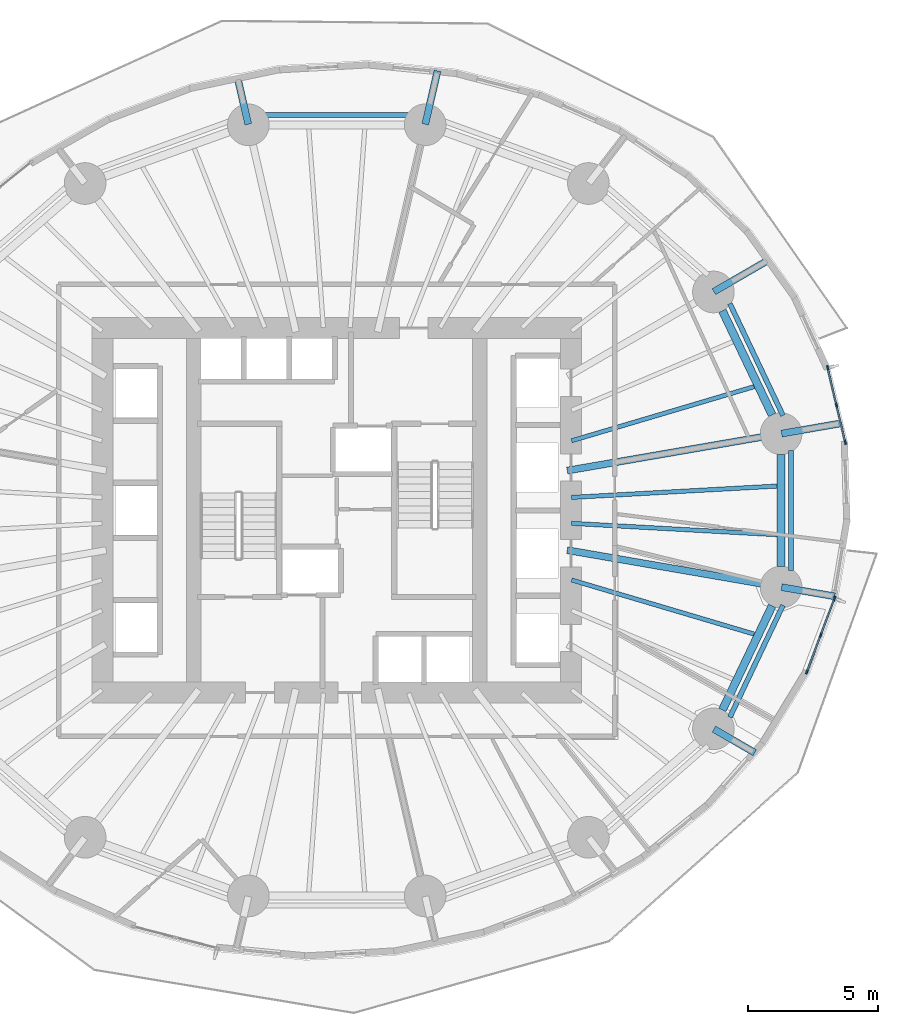
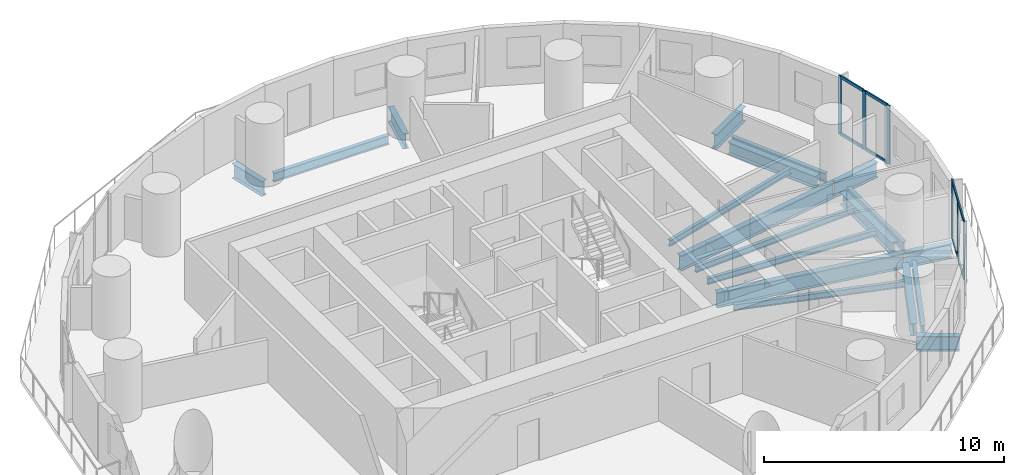
# One storey, part 5 of 14: 19 beams, 14 members, 2 elements without a shape of their own.
"""IFC4 building model written with IfcOpenShell, lengths in metres."""

from ifc_helpers import new_model, si_unit, direction, frame, origin, origin_2d, place, context, subcontext, project, spatial, rectangle, i_section, extrude, material, material_profile, profile_set, type_object, element, aggregate, save


model = new_model("IFC4")

# Units and contexts
model_context = context("Model", 3, precision=1e-05, world=origin(), true_north=direction((0.0, 1.0)))
body_context = subcontext(model_context, "Body", "Model", "MODEL_VIEW")
ifc_project = project(units=[si_unit("LENGTHUNIT", "METRE"), si_unit("AREAUNIT", "SQUARE_METRE"), si_unit("VOLUMEUNIT", "CUBIC_METRE"), si_unit("PLANEANGLEUNIT", "RADIAN"), si_unit("MASSUNIT", "GRAM", prefix="KILO")], contexts=[model_context])

# Site, building, storey
site_placement = place(None, origin())
site = spatial("IfcSite", under=ifc_project, at=site_placement, CompositionType="ELEMENT")
building_placement = place(site_placement, origin())
building = spatial("IfcBuilding", under=site, at=building_placement, Name="Veldorim Arch Residences", CompositionType="ELEMENT")
storey_placement = place(building_placement, frame((0.0, 0.0, 40.800048828125)))
storey = spatial("IfcBuildingStorey", under=building, at=storey_placement, Name="L11", CompositionType="ELEMENT", Elevation=40.800048828125)

# Beams
ifc_material_1 = material(Name="Steel S355", Category="steel")
ifc_material_profile_1 = material_profile(ifc_material_1, i_section(OverallWidth=0.30712890625, OverallDepth=0.6201171875, WebThickness=0.01416015625, FlangeThickness=0.023681640625, at=origin_2d()), Name="UB610x305x179")
ifc_profile_set_1 = profile_set([ifc_material_profile_1], Name="Steel S355")
beam_type_1 = type_object("IfcBeamType", Name="Structural Steel Beam UB610x305x179", PredefinedType="BEAM", material=ifc_profile_set_1)
for number, where, z_axis, x_axis, name in (
    (1, (48.72119140625, 27.66796875, -0.550048828125), (-0.430786696724, 0.902453778276, 0.0), (-0.902453778276, -0.430786696724, 0.0), "L11 perimeter ring tie beam 01"),
    (2, (46.812255859375, 16.3330078125, -0.550048828125), (0.430786696724, 0.902453778276, 0.0), (-0.902453778276, 0.430786696724, 0.0), "L11 perimeter ring tie beam 15"),
):
    element("IfcBeam", number, at=place(storey_placement, frame(where, z_axis=z_axis, x_axis=x_axis)), inside=storey, type_object=beam_type_1, Name=name, PredefinedType="BEAM", context=body_context, shape_type="SweptSolid", body=[
        extrude(i_section(OverallWidth=0.30712890625, OverallDepth=0.6201171875, WebThickness=0.01416015625, FlangeThickness=0.023681640625, at=origin_2d()), origin(), (0.0, 0.0, 1.0), 4.431396484375),
    ])
beam_1_placement = place(storey_placement, frame((49.065673828125, 21.85400390625, -0.550048828125), z_axis=(0.0, 1.0, 0.0), x_axis=(-1.0, 0.0, 0.0)))
element("IfcBeam", 3, at=beam_1_placement, inside=storey, type_object=beam_type_1, Name="L11 perimeter ring tie beam 16", PredefinedType="BEAM", context=body_context, shape_type="SweptSolid", body=[
    extrude(i_section(OverallWidth=0.30712890625, OverallDepth=0.6201171875, WebThickness=0.01416015625, FlangeThickness=0.023681640625, at=origin_2d()), origin(), (0.0, 0.0, 1.0), 4.2919921875),
])
ifc_material_2 = material(Name="Steel S355", Category="steel")
ifc_material_profile_2 = material_profile(ifc_material_2, i_section(OverallWidth=0.26806640625, OverallDepth=0.769775390625, WebThickness=0.015625, FlangeThickness=0.025390625, at=origin_2d()), Name="UB762x267x197")
ifc_profile_set_2 = profile_set([ifc_material_profile_2], Name="Steel S355")
beam_type_2 = type_object("IfcBeamType", Name="Structural Steel GIRDER UB762x267x197", PredefinedType="USERDEFINED", material=ifc_profile_set_2)
beam_2_placement = place(storey_placement, frame((40.852294921875, 25.528076171875, -0.625), z_axis=(0.985427548249, 0.170095699979, 0.0), x_axis=(-0.170095699979, 0.985427548249, 0.0)))
element("IfcBeam", 4, at=beam_2_placement, inside=storey, type_object=beam_type_2, Name="L11 radial floor girder 01", ObjectType="GIRDER", PredefinedType="USERDEFINED", context=body_context, shape_type="SweptSolid", body=[
    extrude(i_section(OverallWidth=0.26806640625, OverallDepth=0.769775390625, WebThickness=0.015625, FlangeThickness=0.025390625, at=origin_2d()), origin(), (0.0, 0.0, 1.0), 8.314697265625),
])
beam_3_placement = place(storey_placement, frame((49.08544921875, 26.94921875, -0.625), z_axis=(0.985409805025, 0.170198461099, 0.0), x_axis=(-0.170198461099, 0.985409805025, 0.0)))
element("IfcBeam", 5, at=beam_3_placement, inside=storey, type_object=beam_type_2, Name="L11 radial edge cantilever girder 01", ObjectType="GIRDER", PredefinedType="USERDEFINED", context=body_context, shape_type="SweptSolid", body=[
    extrude(i_section(OverallWidth=0.26806640625, OverallDepth=0.769775390625, WebThickness=0.015625, FlangeThickness=0.025390625, at=origin_2d()), origin(), (0.0, 0.0, 1.0), 2.29931640625),
])
beam_4_placement = place(storey_placement, frame((46.48486328125, 32.399169921875, -0.625), z_axis=(0.865111527822, 0.501579549453, 0.0), x_axis=(-0.501579549453, 0.865111527822, 0.0)))
element("IfcBeam", 6, at=beam_4_placement, inside=storey, type_object=beam_type_2, Name="L11 radial edge cantilever girder 02", ObjectType="GIRDER", PredefinedType="USERDEFINED", context=body_context, shape_type="SweptSolid", body=[
    extrude(i_section(OverallWidth=0.26806640625, OverallDepth=0.769775390625, WebThickness=0.015625, FlangeThickness=0.025390625, at=origin_2d()), origin(), (0.0, 0.0, 1.0), 2.426513671875),
])
beam_5_placement = place(storey_placement, frame((35.399169921875, 38.829345703125, -0.625), z_axis=(0.22340367913, 0.974726010811, 0.0), x_axis=(-0.974726010811, 0.22340367913, 0.0)))
element("IfcBeam", 7, at=beam_5_placement, inside=storey, type_object=beam_type_2, Name="L11 radial edge cantilever girder 04", ObjectType="GIRDER", PredefinedType="USERDEFINED", context=body_context, shape_type="SweptSolid", body=[
    extrude(i_section(OverallWidth=0.26806640625, OverallDepth=0.769775390625, WebThickness=0.015625, FlangeThickness=0.025390625, at=origin_2d()), origin(), (0.0, 0.0, 1.0), 2.10693359375),
])
beam_6_placement = place(storey_placement, frame((28.600830078125, 38.829345703125, -0.625), z_axis=(-0.223405058442, 0.974725694676, 0.0), x_axis=(-0.974725694676, -0.223405058442, 0.0)))
element("IfcBeam", 8, at=beam_6_placement, inside=storey, type_object=beam_type_2, Name="L11 radial edge cantilever girder 05", ObjectType="GIRDER", PredefinedType="USERDEFINED", context=body_context, shape_type="SweptSolid", body=[
    extrude(i_section(OverallWidth=0.26806640625, OverallDepth=0.769775390625, WebThickness=0.015625, FlangeThickness=0.025390625, at=origin_2d()), origin(), (0.0, 0.0, 1.0), 1.839111328125),
])
beam_7_placement = place(storey_placement, frame((46.48486328125, 15.600830078125, -0.625), z_axis=(0.86511292658, -0.501577136904, 0.0), x_axis=(0.501577136904, 0.86511292658, 0.0)))
element("IfcBeam", 9, at=beam_7_placement, inside=storey, type_object=beam_type_2, Name="L11 radial edge cantilever girder 15", ObjectType="GIRDER", PredefinedType="USERDEFINED", context=body_context, shape_type="SweptSolid", body=[
    extrude(i_section(OverallWidth=0.26806640625, OverallDepth=0.769775390625, WebThickness=0.015625, FlangeThickness=0.025390625, at=origin_2d()), origin(), (0.0, 0.0, 1.0), 1.814697265625),
])
beam_8_placement = place(storey_placement, frame((40.852294921875, 22.471923828125, -0.625), z_axis=(0.985427548249, -0.170095699979, 0.0), x_axis=(0.170095699979, 0.985427548249, 0.0)))
element("IfcBeam", 10, at=beam_8_placement, inside=storey, type_object=beam_type_2, Name="L11 radial floor girder 16", ObjectType="GIRDER", PredefinedType="USERDEFINED", context=body_context, shape_type="SweptSolid", body=[
    extrude(i_section(OverallWidth=0.26806640625, OverallDepth=0.769775390625, WebThickness=0.015625, FlangeThickness=0.025390625, at=origin_2d()), origin(), (0.0, 0.0, 1.0), 8.314697265625),
])
beam_9_placement = place(storey_placement, frame((49.08544921875, 21.05078125, -0.625), z_axis=(0.985426816784, -0.170099937575, 0.0), x_axis=(0.170099937575, 0.985426816784, 0.0)))
element("IfcBeam", 11, at=beam_9_placement, inside=storey, type_object=beam_type_2, Name="L11 radial edge cantilever girder 16", ObjectType="GIRDER", PredefinedType="USERDEFINED", context=body_context, shape_type="SweptSolid", body=[
    extrude(i_section(OverallWidth=0.26806640625, OverallDepth=0.769775390625, WebThickness=0.015625, FlangeThickness=0.025390625, at=origin_2d()), origin(), (0.0, 0.0, 1.0), 2.075439453125),
])
ifc_material_3 = material(Name="Steel S355", Category="steel")
ifc_material_profile_3 = material_profile(ifc_material_3, i_section(OverallWidth=0.165771484375, OverallDepth=0.306640625, WebThickness=0.006591796875, FlangeThickness=0.01171875, at=origin_2d()), Name="UB305x165x46")
ifc_profile_set_3 = profile_set([ifc_material_profile_3], Name="Steel S355")
beam_type_3 = type_object("IfcBeamType", Name="Structural Steel Joist UB305x165x46", PredefinedType="JOIST", material=ifc_profile_set_3)
for number, where, z_axis, x_axis, name in (
    (12, (41.019287109375, 26.67333984375, -0.393310546875), (0.958766778771, 0.284194060325, 0.0), (-0.284194060325, 0.958766778771, 0.0), "L11 secondary radial floor joist 01-1"),
    (13, (41.019287109375, 21.32666015625, -0.393310546875), (0.958766778771, -0.284194060325, 0.0), (0.284194060325, 0.958766778771, 0.0), "L11 secondary radial floor joist 15-2"),
):
    element("IfcBeam", number, at=place(storey_placement, frame(where, z_axis=z_axis, x_axis=x_axis)), inside=storey, type_object=beam_type_3, Name=name, PredefinedType="JOIST", context=body_context, shape_type="SweptSolid", body=[
        extrude(i_section(OverallWidth=0.165771484375, OverallDepth=0.306640625, WebThickness=0.006591796875, FlangeThickness=0.01171875, at=origin_2d()), origin(), (0.0, 0.0, 1.0), 7.3115234375),
    ])
for number, where, z_axis, x_axis, name in (
    (14, (41.02001953125, 23.501708984375, -0.393310546875), (0.998478371109, -0.055144740699, 0.0), (0.055144740699, 0.998478371109, 0.0), "L11 secondary radial floor joist 16-1"),
    (15, (41.02001953125, 24.498291015625, -0.393310546875), (0.998478371109, 0.055144740699, 0.0), (-0.055144740699, 0.998478371109, 0.0), "L11 secondary radial floor joist 16-2"),
):
    element("IfcBeam", number, at=place(storey_placement, frame(where, z_axis=z_axis, x_axis=x_axis)), inside=storey, type_object=beam_type_3, Name=name, PredefinedType="JOIST", context=body_context, shape_type="SweptSolid", body=[
        extrude(i_section(OverallWidth=0.165771484375, OverallDepth=0.306640625, WebThickness=0.006591796875, FlangeThickness=0.01171875, at=origin_2d()), origin(), (0.0, 0.0, 1.0), 7.898193359375),
    ])
ifc_material_4 = material(Name="Steel S355", Category="steel")
ifc_material_profile_4 = material_profile(ifc_material_4, i_section(OverallWidth=0.19140625, OverallDepth=0.4599609375, WebThickness=0.010009765625, FlangeThickness=0.01611328125, at=origin_2d()), Name="UB457x191x82")
ifc_profile_set_4 = profile_set([ifc_material_profile_4], Name="Steel S355")
beam_type_4 = type_object("IfcBeamType", Name="Structural Steel Spandrel UB457x191x82", PredefinedType="SPANDREL", material=ifc_profile_set_4)
beam_10_placement = place(storey_placement, frame((49.13818359375, 27.646484375, -0.489990234375), z_axis=(-0.42886940858, 0.903366498374, 0.0), x_axis=(-0.903366498374, -0.42886940858, 0.0)))
element("IfcBeam", 16, at=beam_10_placement, inside=storey, type_object=beam_type_4, Name="L11 perimeter chord spandrel beam 01", PredefinedType="SPANDREL", context=body_context, shape_type="SweptSolid", body=[
    extrude(i_section(OverallWidth=0.19140625, OverallDepth=0.4599609375, WebThickness=0.010009765625, FlangeThickness=0.01611328125, at=origin_2d()), origin(), (0.0, 0.0, 1.0), 4.7568359375),
])
beam_11_placement = place(storey_placement, frame((34.775390625, 39.180419921875, -0.489990234375), z_axis=(-1.0, 0.0, 0.0), x_axis=(0.0, -1.0, 0.0)))
element("IfcBeam", 17, at=beam_11_placement, inside=storey, type_object=beam_type_4, Name="L11 perimeter chord spandrel beam 04", PredefinedType="SPANDREL", context=body_context, shape_type="SweptSolid", body=[
    extrude(i_section(OverallWidth=0.19140625, OverallDepth=0.4599609375, WebThickness=0.010009765625, FlangeThickness=0.01611328125, at=origin_2d()), origin(), (0.0, 0.0, 1.0), 5.55078125),
])
beam_12_placement = place(storey_placement, frame((47.09814453125, 16.056396484375, -0.489990234375), z_axis=(0.42886940858, 0.903366498374, 0.0), x_axis=(-0.903366498374, 0.42886940858, 0.0)))
element("IfcBeam", 18, at=beam_12_placement, inside=storey, type_object=beam_type_4, Name="L11 perimeter chord spandrel beam 15", PredefinedType="SPANDREL", context=body_context, shape_type="SweptSolid", body=[
    extrude(i_section(OverallWidth=0.19140625, OverallDepth=0.4599609375, WebThickness=0.010009765625, FlangeThickness=0.01611328125, at=origin_2d()), origin(), (0.0, 0.0, 1.0), 4.7568359375),
])
beam_13_placement = place(storey_placement, frame((49.440185546875, 21.693603515625, -0.489990234375), z_axis=(0.0, 1.0, 0.0), x_axis=(-1.0, 0.0, 0.0)))
element("IfcBeam", 19, at=beam_13_placement, inside=storey, type_object=beam_type_4, Name="L11 perimeter chord spandrel beam 16", PredefinedType="SPANDREL", context=body_context, shape_type="SweptSolid", body=[
    extrude(i_section(OverallWidth=0.19140625, OverallDepth=0.4599609375, WebThickness=0.010009765625, FlangeThickness=0.01611328125, at=origin_2d()), origin(), (0.0, 0.0, 1.0), 4.61279296875),
])

# Curtain wall, members
ifc_material_5 = material(Name="Aluminium", Category="aluminium")
curtain_wall_type = type_object("IfcCurtainWallType", Name="Zone 1 Acoustic Low-E Unitised Curtain Wall", PredefinedType="NOTDEFINED", material=ifc_material_5)
curtain_wall_1_placement = place(storey_placement, origin())
curtain_wall_1 = element("IfcCurtainWall", 20, at=curtain_wall_1_placement, inside=storey, type_object=curtain_wall_type, Name="L11 unitised curtain wall bay 01", PredefinedType="NOTDEFINED")
ifc_material_6 = material(Name="Aluminium", Category="aluminium")
ifc_material_profile_5 = material_profile(ifc_material_6, rectangle(XDim=0.06494140625, YDim=0.175048828125, at=origin_2d()), Name="ALU_MUL_65x175")
ifc_profile_set_5 = profile_set([ifc_material_profile_5], Name="Aluminium")
member_type_1 = type_object("IfcMemberType", Name="Zone 1 Acoustic Low-E Unitised Curtain Wall Mullion 65x175", PredefinedType="MULLION", material=ifc_profile_set_5)
member_1_placement = place(storey_placement, frame((50.856689453125, 29.473876953125, 0.0), z_axis=(0.0, 0.0, 1.0), x_axis=(0.973129808051, 0.230257196808, 0.0)))
member_1 = element("IfcMember", 21, at=member_1_placement, type_object=member_type_1, Name="CW-Z1 mullion 1", PredefinedType="MULLION", context=body_context, shape_type="SweptSolid", body=[
    extrude(rectangle(XDim=0.06494140625, YDim=0.175048828125, at=origin_2d()), origin(), (0.0, 0.0, 1.0), 2.9599609375),
])
member_2_placement = place(storey_placement, frame((51.194580078125, 28.044921875, 0.0), z_axis=(0.0, 0.0, 1.0), x_axis=(0.973129808051, 0.230257196808, 0.0)))
member_2 = element("IfcMember", 22, at=member_2_placement, type_object=member_type_1, Name="CW-Z1 mullion 2", PredefinedType="MULLION", context=body_context, shape_type="SweptSolid", body=[
    extrude(rectangle(XDim=0.06494140625, YDim=0.175048828125, at=origin_2d()), origin(), (0.0, 0.0, 1.0), 2.9599609375),
])
member_3_placement = place(storey_placement, frame((51.53271484375, 26.615966796875, 0.0), z_axis=(0.0, 0.0, 1.0), x_axis=(0.973129808051, 0.230257196808, 0.0)))
member_3 = element("IfcMember", 23, at=member_3_placement, type_object=member_type_1, Name="CW-Z1 mullion 3", PredefinedType="MULLION", context=body_context, shape_type="SweptSolid", body=[
    extrude(rectangle(XDim=0.06494140625, YDim=0.175048828125, at=origin_2d()), origin(), (0.0, 0.0, 1.0), 2.9599609375),
])

curtain_wall_2_placement = place(storey_placement, origin())
curtain_wall_2 = element("IfcCurtainWall", 24, at=curtain_wall_2_placement, inside=storey, type_object=curtain_wall_type, Name="L11 unitised curtain wall bay 34", PredefinedType="NOTDEFINED")
member_4_placement = place(storey_placement, frame((51.122314453125, 20.61767578125, 0.0), z_axis=(0.0, 0.0, 1.0), x_axis=(0.9356558675, -0.352913725454, 0.0)))
member_4 = element("IfcMember", 25, at=member_4_placement, type_object=member_type_1, Name="CW-Z1 mullion 1", PredefinedType="MULLION", context=body_context, shape_type="SweptSolid", body=[
    extrude(rectangle(XDim=0.06494140625, YDim=0.175048828125, at=origin_2d()), origin(), (0.0, 0.0, 1.0), 2.9599609375),
])
member_5_placement = place(storey_placement, frame((50.589599609375, 19.205322265625, 0.0), z_axis=(0.0, 0.0, 1.0), x_axis=(0.9356558675, -0.352913725454, 0.0)))
member_5 = element("IfcMember", 26, at=member_5_placement, type_object=member_type_1, Name="CW-Z1 mullion 2", PredefinedType="MULLION", context=body_context, shape_type="SweptSolid", body=[
    extrude(rectangle(XDim=0.06494140625, YDim=0.175048828125, at=origin_2d()), origin(), (0.0, 0.0, 1.0), 2.9599609375),
])
member_6_placement = place(storey_placement, frame((50.056884765625, 17.79296875, 0.0), z_axis=(0.0, 0.0, 1.0), x_axis=(0.9356558675, -0.352913725454, 0.0)))
member_6 = element("IfcMember", 27, at=member_6_placement, type_object=member_type_1, Name="CW-Z1 mullion 3", PredefinedType="MULLION", context=body_context, shape_type="SweptSolid", body=[
    extrude(rectangle(XDim=0.06494140625, YDim=0.175048828125, at=origin_2d()), origin(), (0.0, 0.0, 1.0), 2.9599609375),
])

# Member
ifc_material_7 = material(Name="Aluminium", Category="aluminium")
ifc_material_profile_6 = material_profile(ifc_material_7, rectangle(XDim=0.06494140625, YDim=0.14990234375, at=origin_2d()), Name="ALU_TRN_65x150")
ifc_profile_set_6 = profile_set([ifc_material_profile_6], Name="Aluminium")
member_type_2 = type_object("IfcMemberType", Name="Zone 1 Acoustic Low-E Unitised Curtain Wall Transom 65x150", PredefinedType="USERDEFINED", material=ifc_profile_set_6)
member_7_placement = place(storey_placement, frame((50.864013671875, 29.442138671875, 0.032470703125), z_axis=(0.230319002626, -0.97311518179, 0.0), x_axis=(0.97311518179, 0.230319002626, 0.0)))
member_7 = element("IfcMember", 28, at=member_7_placement, type_object=member_type_2, Name="CW-Z1 transom 1.1", ObjectType="TRANSOM", PredefinedType="USERDEFINED", context=body_context, shape_type="SweptSolid", body=[
    extrude(rectangle(XDim=0.06494140625, YDim=0.14990234375, at=origin_2d()), origin(), (0.0, 0.0, 1.0), 1.403564453125),
])

member_8_placement = place(storey_placement, frame((50.864013671875, 29.442138671875, 2.927490234375), z_axis=(0.230319002626, -0.97311518179, 0.0), x_axis=(0.97311518179, 0.230319002626, 0.0)))
member_8 = element("IfcMember", 29, at=member_8_placement, type_object=member_type_2, Name="CW-Z1 transom 1.2", ObjectType="TRANSOM", PredefinedType="USERDEFINED", context=body_context, shape_type="SweptSolid", body=[
    extrude(rectangle(XDim=0.06494140625, YDim=0.14990234375, at=origin_2d()), origin(), (0.0, 0.0, 1.0), 1.403564453125),
])

member_9_placement = place(storey_placement, frame((51.2021484375, 28.01318359375, 0.032470703125), z_axis=(0.230319002626, -0.97311518179, 0.0), x_axis=(0.97311518179, 0.230319002626, 0.0)))
member_9 = element("IfcMember", 30, at=member_9_placement, type_object=member_type_2, Name="CW-Z1 transom 2.1", ObjectType="TRANSOM", PredefinedType="USERDEFINED", context=body_context, shape_type="SweptSolid", body=[
    extrude(rectangle(XDim=0.06494140625, YDim=0.14990234375, at=origin_2d()), origin(), (0.0, 0.0, 1.0), 1.403564453125),
])

member_10_placement = place(storey_placement, frame((51.2021484375, 28.01318359375, 2.927490234375), z_axis=(0.230319002626, -0.97311518179, 0.0), x_axis=(0.97311518179, 0.230319002626, 0.0)))
member_10 = element("IfcMember", 31, at=member_10_placement, type_object=member_type_2, Name="CW-Z1 transom 2.2", ObjectType="TRANSOM", PredefinedType="USERDEFINED", context=body_context, shape_type="SweptSolid", body=[
    extrude(rectangle(XDim=0.06494140625, YDim=0.14990234375, at=origin_2d()), origin(), (0.0, 0.0, 1.0), 1.403564453125),
])

aggregate(curtain_wall_1, [member_1, member_2, member_3, member_7, member_8, member_9, member_10])

member_11_placement = place(storey_placement, frame((51.11083984375, 20.58740234375, 0.032470703125), z_axis=(-0.352845127387, -0.935681738669, 0.0), x_axis=(0.935681738669, -0.352845127387, 0.0)))
member_11 = element("IfcMember", 32, at=member_11_placement, type_object=member_type_2, Name="CW-Z1 transom 1.1", ObjectType="TRANSOM", PredefinedType="USERDEFINED", context=body_context, shape_type="SweptSolid", body=[
    extrude(rectangle(XDim=0.06494140625, YDim=0.14990234375, at=origin_2d()), origin(), (0.0, 0.0, 1.0), 1.44482421875),
])

member_12_placement = place(storey_placement, frame((51.11083984375, 20.58740234375, 2.927490234375), z_axis=(-0.352845127387, -0.935681738669, 0.0), x_axis=(0.935681738669, -0.352845127387, 0.0)))
member_12 = element("IfcMember", 33, at=member_12_placement, type_object=member_type_2, Name="CW-Z1 transom 1.2", ObjectType="TRANSOM", PredefinedType="USERDEFINED", context=body_context, shape_type="SweptSolid", body=[
    extrude(rectangle(XDim=0.06494140625, YDim=0.14990234375, at=origin_2d()), origin(), (0.0, 0.0, 1.0), 1.44482421875),
])

member_13_placement = place(storey_placement, frame((50.578125, 19.1748046875, 0.032470703125), z_axis=(-0.352900926809, -0.935660694834, 0.0), x_axis=(0.935660694834, -0.352900926809, 0.0)))
member_13 = element("IfcMember", 34, at=member_13_placement, type_object=member_type_2, Name="CW-Z1 transom 2.1", ObjectType="TRANSOM", PredefinedType="USERDEFINED", context=body_context, shape_type="SweptSolid", body=[
    extrude(rectangle(XDim=0.06494140625, YDim=0.14990234375, at=origin_2d()), origin(), (0.0, 0.0, 1.0), 1.444580078125),
])

member_14_placement = place(storey_placement, frame((50.578125, 19.1748046875, 2.927490234375), z_axis=(-0.352900926809, -0.935660694834, 0.0), x_axis=(0.935660694834, -0.352900926809, 0.0)))
member_14 = element("IfcMember", 35, at=member_14_placement, type_object=member_type_2, Name="CW-Z1 transom 2.2", ObjectType="TRANSOM", PredefinedType="USERDEFINED", context=body_context, shape_type="SweptSolid", body=[
    extrude(rectangle(XDim=0.06494140625, YDim=0.14990234375, at=origin_2d()), origin(), (0.0, 0.0, 1.0), 1.444580078125),
])

aggregate(curtain_wall_2, [member_4, member_5, member_6, member_11, member_12, member_13, member_14])

save(model, "model.ifc")
